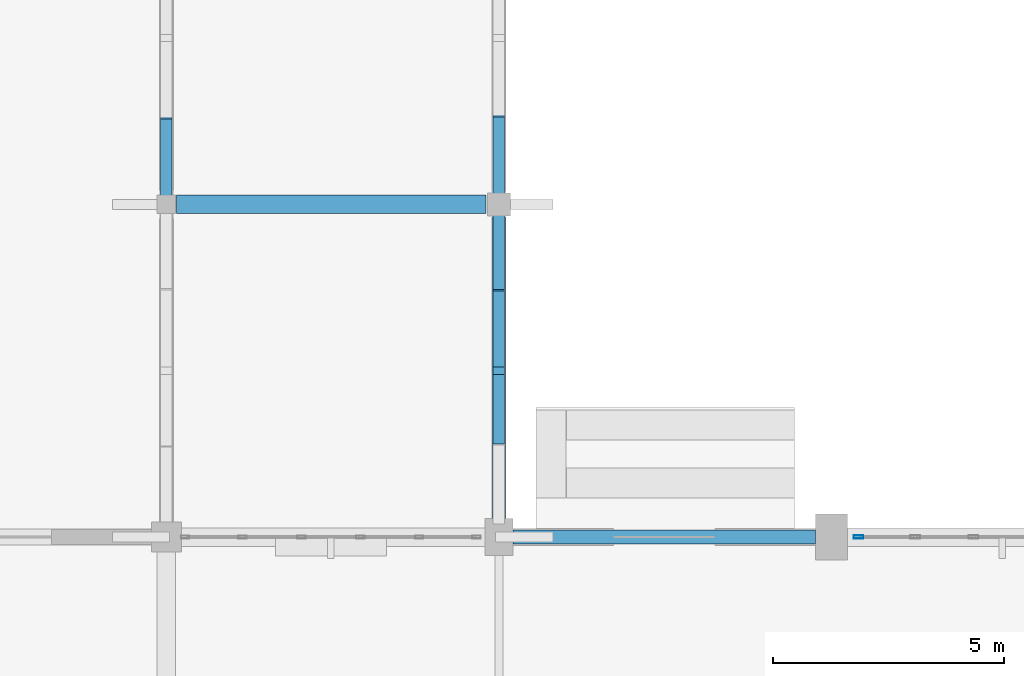
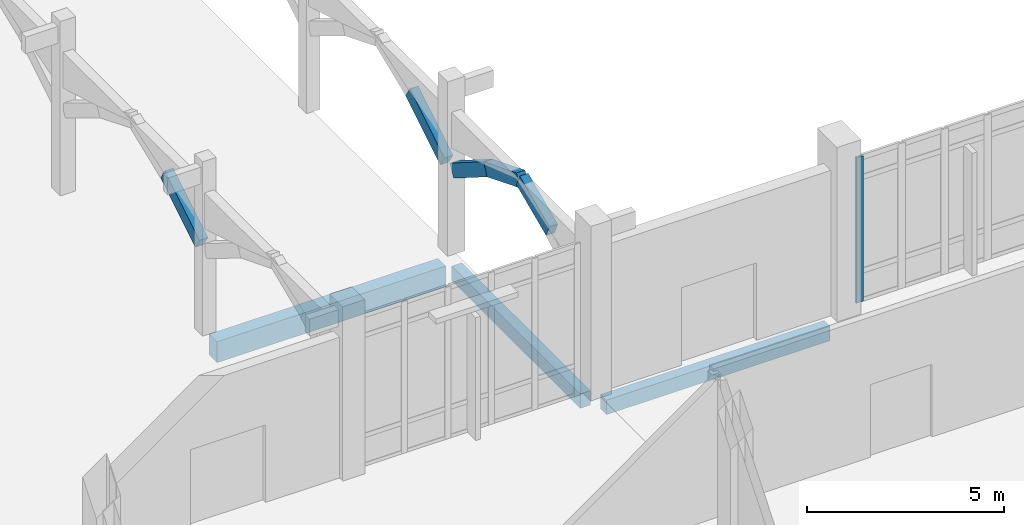
# One storey, part 31 of 110: 6 members, 3 beams, 1 element without a shape of its own.
"""IFC4 building model written with IfcOpenShell, lengths in metres."""

from ifc_helpers import new_model, si_unit, direction, frame, origin, origin_2d, place, context, subcontext, project, spatial, rectangle, hollow_rectangle, extrude, material, material_profile, profile_set, type_object, element, aggregate, save


model = new_model("IFC4")

# Units and contexts
model_context = context("Model", 3, precision=1e-05, world=origin(), true_north=direction((0.0, 1.0)))
body_context = subcontext(model_context, "Body", "Model", "MODEL_VIEW")
ifc_project = project(units=[si_unit("LENGTHUNIT", "METRE"), si_unit("AREAUNIT", "SQUARE_METRE"), si_unit("VOLUMEUNIT", "CUBIC_METRE"), si_unit("PLANEANGLEUNIT", "RADIAN"), si_unit("MASSUNIT", "GRAM", prefix="KILO")], contexts=[model_context])

# Site, building, storey
site_placement = place(None, origin())
site = spatial("IfcSite", under=ifc_project, at=site_placement, CompositionType="ELEMENT")
building_placement = place(site_placement, origin())
building = spatial("IfcBuilding", under=site, at=building_placement, Name="Kalluvel Institute of Natural Sciences", CompositionType="ELEMENT")
storey_placement = place(building_placement, origin())
storey = spatial("IfcBuildingStorey", under=building, at=storey_placement, Name="L00", CompositionType="ELEMENT", Elevation=0.0)

# Beam
ifc_material_1 = material(Name="Concrete M40", Category="concrete")
ifc_material_profile_1 = material_profile(ifc_material_1, rectangle(XDim=0.39990234375, YDim=0.64990234375, at=origin_2d()), Name="RCB 400x650")
ifc_profile_set_1 = profile_set([ifc_material_profile_1], Name="Concrete M40")
beam_type_1 = type_object("IfcBeamType", Name="BM-RC400x650", PredefinedType="BEAM", material=ifc_profile_set_1)
beam_1_placement = place(storey_placement, frame((107.824951171875, 42.800048828125, -0.64501953125), z_axis=(1.0, 0.0, 0.0), x_axis=(0.0, 1.0, 0.0)))
element("IfcBeam", 1, at=beam_1_placement, inside=storey, type_object=beam_type_1, Name="L00 girder GIR-L00-EW-X1076-Y428", PredefinedType="BEAM", context=body_context, shape_type="SweptSolid", body=[
    extrude(rectangle(XDim=0.39990234375, YDim=0.64990234375, at=origin_2d()), origin(), (0.0, 0.0, 1.0), 6.699951171875),
])

# Curtain wall, member
ifc_material_2 = material(Name="Aluminium AW-6063 T6", Category="aluminium")
curtain_wall_type = type_object("IfcCurtainWallType", Name="CW-SPAV-45", PredefinedType="USERDEFINED", material=ifc_material_2)
curtain_wall_placement = place(storey_placement, origin())
curtain_wall = element("IfcCurtainWall", 2, at=curtain_wall_placement, inside=storey, type_object=curtain_wall_type, Name="L00 Gothic lancet curtain wall CWA-L00-X1226-Y356", ObjectType="UNITISED LANCET FACADE", PredefinedType="USERDEFINED")
ifc_material_profile_2 = material_profile(ifc_material_2, hollow_rectangle(XDim=0.070068359375, YDim=0.2099609375, WallThickness=0.0048828125, at=origin_2d()), Name="CWM 70x210")
ifc_profile_set_2 = profile_set([ifc_material_profile_2], Name="Aluminium AW-6063 T6")
member_type_1 = type_object("IfcMemberType", Name="CWM-70x210", PredefinedType="MULLION", material=ifc_profile_set_2)
member_1_placement = place(storey_placement, frame((122.5849609375, 35.60009765625, 0.0), z_axis=(0.0, 0.0, 1.0), x_axis=(0.0, 1.0, 0.0)))
member_1 = element("IfcMember", 3, at=member_1_placement, type_object=member_type_1, Name="CW-10 mullion 1", PredefinedType="MULLION", context=body_context, shape_type="SweptSolid", body=[
    extrude(hollow_rectangle(XDim=0.070068359375, YDim=0.2099609375, WallThickness=0.0048828125, at=origin_2d()), origin(), (0.0, 0.0, 1.0), 4.5),
])
aggregate(curtain_wall, [member_1])

# Members
ifc_material_3 = material(Name="Sadarahalli Granite Precast Concrete M45", Category="masonry")
ifc_material_profile_3 = material_profile(ifc_material_3, rectangle(XDim=0.25, YDim=0.39990234375, at=origin_2d()), Name="RCB 250x400")
ifc_profile_set_3 = profile_set([ifc_material_profile_3], Name="Sadarahalli Granite Precast Concrete M45")
member_type_2 = type_object("IfcMemberType", Name="MB-CL-ARCH250", PredefinedType="USERDEFINED", material=ifc_profile_set_3)
member_2_placement = place(storey_placement, frame((114.800048828125, 37.69580078125, 3.679931640625), z_axis=(0.0, 0.915689390729, 0.401886724969), x_axis=(-1.0, 0.0, 0.0)))
element("IfcMember", 4, at=member_2_placement, inside=storey, type_object=member_type_2, Name="Gothic cloister pointed-lancet arch segment 78", ObjectType="ARCH_SEGMENT", PredefinedType="USERDEFINED", context=body_context, shape_type="SweptSolid", body=[
    extrude(rectangle(XDim=0.25, YDim=0.39990234375, at=origin_2d()), origin(), (0.0, 0.0, 1.0), 1.642578125),
])
member_3_placement = place(storey_placement, frame((114.800048828125, 39.199951171875, 4.340087890625), z_axis=(0.0, 0.928778879794, -0.370634310945), x_axis=(-1.0, 0.0, 0.0)))
element("IfcMember", 5, at=member_3_placement, inside=storey, type_object=member_type_2, Name="Gothic cloister pointed-lancet arch segment 79", ObjectType="ARCH_SEGMENT", PredefinedType="USERDEFINED", context=body_context, shape_type="SweptSolid", body=[
    extrude(rectangle(XDim=0.25, YDim=0.39990234375, at=origin_2d()), origin(), (0.0, 0.0, 1.0), 1.78125),
])
member_4_placement = place(storey_placement, frame((114.800048828125, 40.854248046875, 3.679931640625), z_axis=(0.0, 0.845623658358, -0.533779569134), x_axis=(-1.0, 0.0, 0.0)))
element("IfcMember", 6, at=member_4_placement, inside=storey, type_object=member_type_2, Name="Gothic cloister pointed-lancet arch segment 80", ObjectType="ARCH_SEGMENT", PredefinedType="USERDEFINED", context=body_context, shape_type="SweptSolid", body=[
    extrude(rectangle(XDim=0.25, YDim=0.39990234375, at=origin_2d()), origin(), (0.0, 0.0, 1.0), 2.02294921875),
])
member_5_placement = place(storey_placement, frame((107.60009765625, 42.985107421875, 2.60009765625), z_axis=(0.0, 0.853581578876, 0.520959200134), x_axis=(-1.0, 0.0, 0.0)))
element("IfcMember", 7, at=member_5_placement, inside=storey, type_object=member_type_2, Name="Gothic cloister pointed-lancet arch segment 81", ObjectType="ARCH_SEGMENT", PredefinedType="USERDEFINED", context=body_context, shape_type="SweptSolid", body=[
    extrude(rectangle(XDim=0.25, YDim=0.39990234375, at=origin_2d()), origin(), (0.0, 0.0, 1.0), 2.07275390625),
])
member_6_placement = place(storey_placement, frame((114.800048828125, 43.034912109375, 2.60009765625), z_axis=(0.0, 0.852747182407, 0.522323886967), x_axis=(-1.0, 0.0, 0.0)))
element("IfcMember", 8, at=member_6_placement, inside=storey, type_object=member_type_2, Name="Gothic cloister pointed-lancet arch segment 85", ObjectType="ARCH_SEGMENT", PredefinedType="USERDEFINED", context=body_context, shape_type="SweptSolid", body=[
    extrude(rectangle(XDim=0.25, YDim=0.39990234375, at=origin_2d()), origin(), (0.0, 0.0, 1.0), 2.0673828125),
])

# Beams
ifc_material_profile_4 = material_profile(ifc_material_1, rectangle(XDim=0.300048828125, YDim=0.449951171875, at=origin_2d()), Name="RCB 300x450")
ifc_profile_set_4 = profile_set([ifc_material_profile_4], Name="Concrete M40")
beam_type_2 = type_object("IfcBeamType", Name="SP-RC300x450", PredefinedType="SPANDREL", material=ifc_profile_set_4)
beam_2_placement = place(storey_placement, frame((115.10009765625, 35.60009765625, -0.56494140625), z_axis=(1.0, 0.0, 0.0), x_axis=(0.0, 1.0, 0.0)))
element("IfcBeam", 9, at=beam_2_placement, inside=storey, type_object=beam_type_2, Name="L00 girder GIR-L00-EW-X1148-Y356", PredefinedType="SPANDREL", context=body_context, shape_type="SweptSolid", body=[
    extrude(rectangle(XDim=0.300048828125, YDim=0.449951171875, at=origin_2d()), origin(), (0.0, 0.0, 1.0), 6.5498046875),
])
beam_3_placement = place(storey_placement, frame((114.800048828125, 36.0, -0.544921875), z_axis=(0.0, 1.0, 0.0), x_axis=(-1.0, 0.0, 0.0)))
element("IfcBeam", 10, at=beam_3_placement, inside=storey, type_object=beam_type_2, Name="L00 girder GIR-L00-NS-X1148-Y356", PredefinedType="SPANDREL", context=body_context, shape_type="SweptSolid", body=[
    extrude(rectangle(XDim=0.300048828125, YDim=0.449951171875, at=origin_2d()), origin(), (0.0, 0.0, 1.0), 6.52490234375),
])

save(model, "model.ifc")
